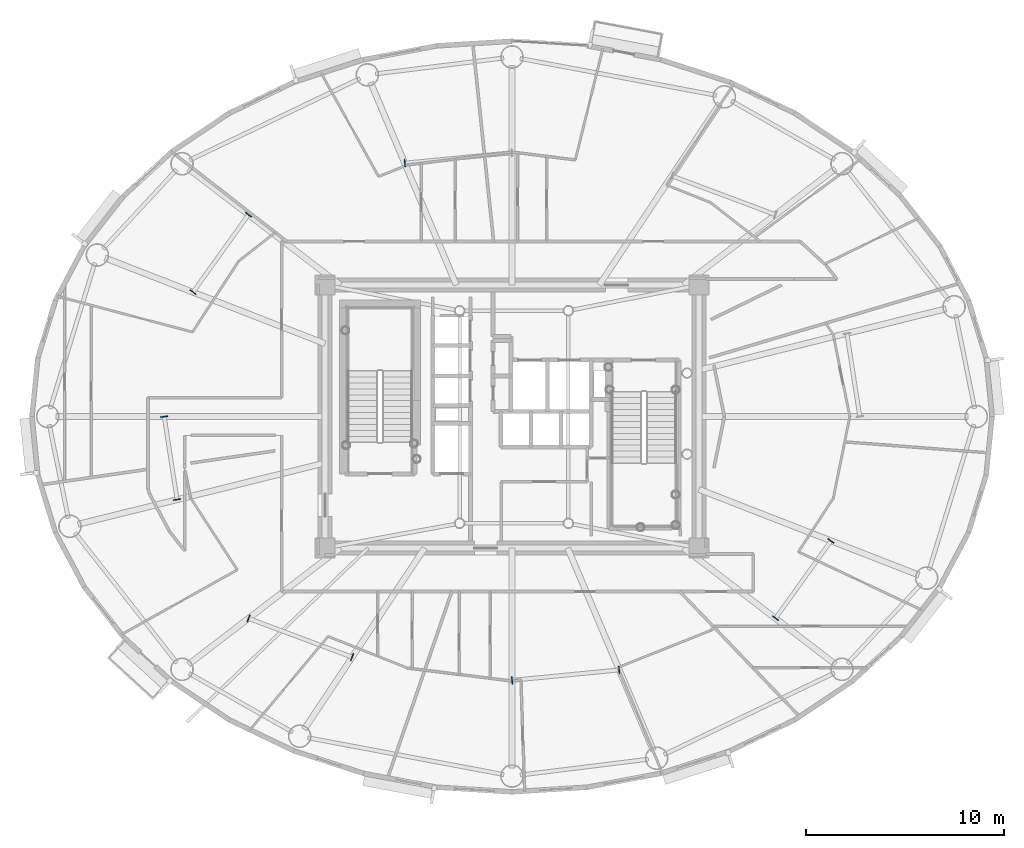
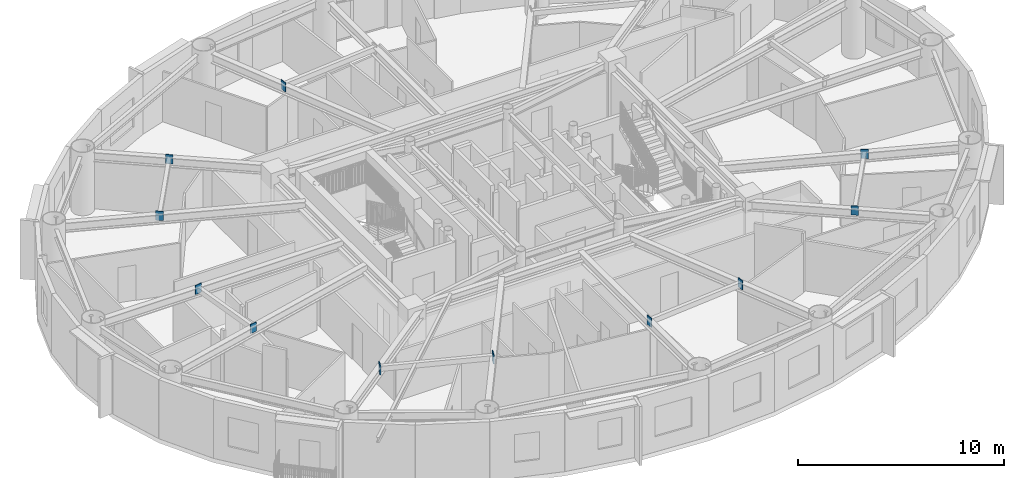
# One storey, part 6 of 20: 11 plates.
"""IFC4 building model written with IfcOpenShell, lengths in metres."""

from ifc_helpers import new_model, si_unit, direction, frame, origin, origin_2d, place, context, subcontext, project, spatial, rectangle, extrude, source, transform, mapped, material, layer, layer_set, type_object, element, save


model = new_model("IFC4")

# Units and contexts
model_context = context("Model", 3, precision=1e-05, world=origin(), true_north=direction((0.0, 1.0)))
body_context = subcontext(model_context, "Body", "Model", "MODEL_VIEW")
ifc_project = project(units=[si_unit("LENGTHUNIT", "METRE"), si_unit("AREAUNIT", "SQUARE_METRE"), si_unit("VOLUMEUNIT", "CUBIC_METRE"), si_unit("PLANEANGLEUNIT", "RADIAN"), si_unit("MASSUNIT", "GRAM", prefix="KILO")], contexts=[model_context])

# Site, building, storey
site_placement = place(None, origin())
site = spatial("IfcSite", under=ifc_project, at=site_placement, CompositionType="ELEMENT")
building_placement = place(site_placement, origin())
building = spatial("IfcBuilding", under=site, at=building_placement, Name="Linh Dai School and Residence Tower", CompositionType="ELEMENT")
storey_placement = place(building_placement, frame((0.0, 0.0, 232.800048828125)))
storey = spatial("IfcBuildingStorey", under=building, at=storey_placement, Name="L57", CompositionType="ELEMENT", Elevation=232.800048828125)

# Plates
ifc_material = material(Name="Structural Steel S355JR", Category="steel")
ifc_layer = layer(ifc_material, 0.0400390625)
ifc_layer_set = layer_set([ifc_layer], Name="Structural Steel S355JR")
plate_type = type_object("IfcPlateType", Name="PLT-GP1", PredefinedType="USERDEFINED", material=ifc_layer_set)
shared_shape = source(origin(), body_context, "Body", "SweptSolid", [
    extrude(rectangle(XDim=0.0400390625, YDim=0.3798828125, at=origin_2d()), origin(), (0.0, 0.0, 1.0), 0.5400390625),
])
for number, where, z_axis, x_axis, name in (
    (1, (30.581787109375, 39.81201171875, 3.079833984375), (0.0, 0.0, 1.0), (-0.995333315624, -0.096496584447, 0.0), "L57 Secondary Beam End Plate 03B"),
    (2, (22.675048828125, 37.201904296875, 3.079833984375), (0.0, 0.0, 1.0), (-0.582040406941, -0.813159864164, 0.0), "L57 Secondary Beam End Plate 04A"),
    (3, (19.8740234375, 33.28857421875, 3.079833984375), (0.0, 0.0, 1.0), (-0.582040406941, -0.813159864164, 0.0), "L57 Secondary Beam End Plate 04B"),
    (4, (18.416259765625, 26.9951171875, 3.079833984375), (0.0, 0.0, 1.0), (0.153185627242, -0.988197431492, 0.0), "L57 Secondary Beam End Plate 05A"),
    (5, (19.06640625, 22.801025390625, 3.079833984375), (0.0, 0.0, 1.0), (0.153185627242, -0.988197431492, 0.0), "L57 Secondary Beam End Plate 05B"),
    (6, (22.6826171875, 16.792236328125, 3.079833984375), (0.0, 0.0, 1.0), (0.936533727109, -0.35057749213, 0.0), "L57 Secondary Beam End Plate 06A"),
    (7, (27.914306640625, 14.833984375, 3.079833984375), (0.0, 0.0, 1.0), (0.936533727109, -0.35057749213, 0.0), "L57 Secondary Beam End Plate 06B"),
    (8, (36.0048828125, 13.6630859375, 3.079833984375), (0.0, 0.0, 1.0), (0.995333315624, 0.096496584447, 0.0), "L57 Secondary Beam End Plate 07A"),
    (9, (41.418212890625, 14.18798828125, 3.079833984375), (0.0, 0.0, 1.0), (0.995333315624, 0.096496584447, 0.0), "L57 Secondary Beam End Plate 07B"),
    (10, (49.324951171875, 16.798095703125, 3.079833984375), (0.0, 0.0, 1.0), (0.582040406941, 0.813159864164, 0.0), "L57 Secondary Beam End Plate 08A"),
    (11, (52.1259765625, 20.71142578125, 3.079833984375), (0.0, 0.0, 1.0), (0.582040406941, 0.813159864164, 0.0), "L57 Secondary Beam End Plate 08B"),
):
    element("IfcPlate", number, at=place(storey_placement, frame(where, z_axis=z_axis, x_axis=x_axis)), inside=storey, type_object=plate_type, Name=name, ObjectType="GUSSET PLATE", PredefinedType="USERDEFINED", context=body_context, shape_type="MappedRepresentation", body=[
        mapped(shared_shape, transform((0.0, 0.0, 0.0), x_axis=(1.0, 0.0, 0.0), y_axis=(0.0, 1.0, 0.0), z_axis=(0.0, 0.0, 1.0), scale=1.0)),
    ])

save(model, "model.ifc")
